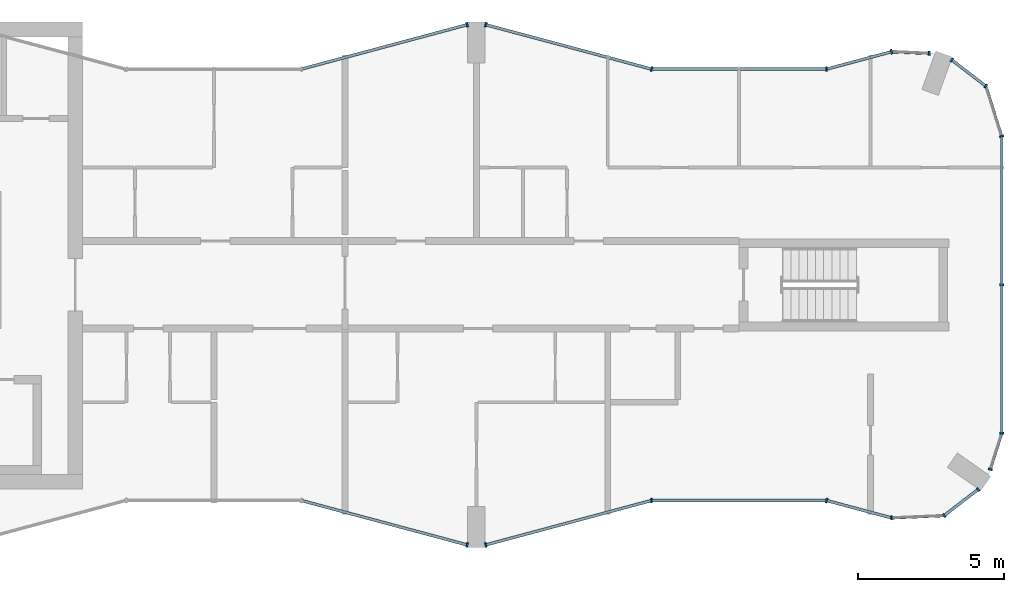
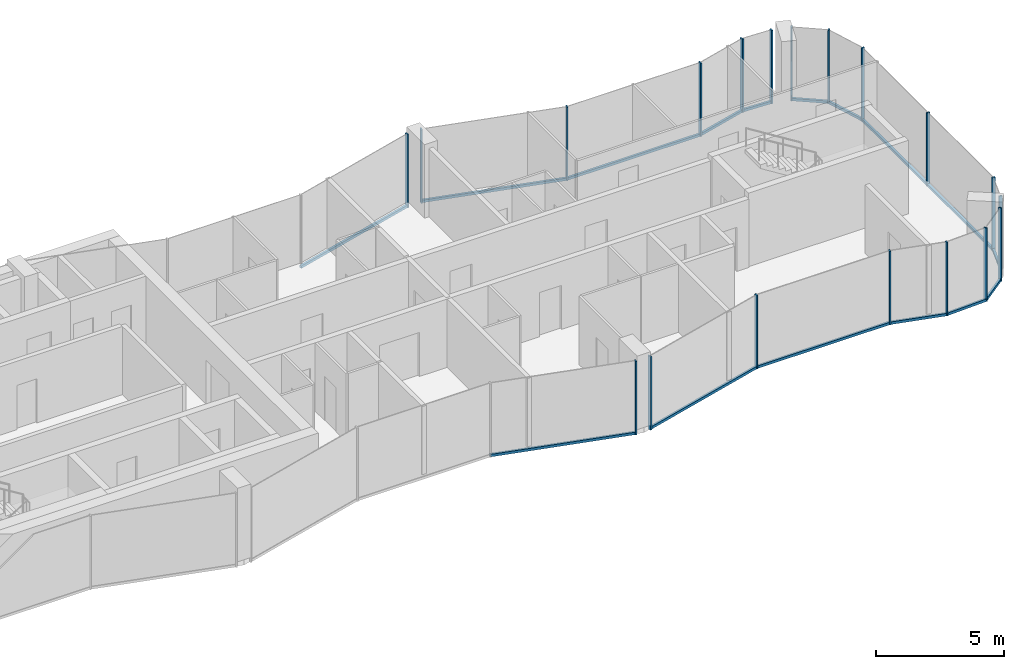
# One storey, part 5 of 10: 34 members, 15 elements without a shape of their own.
"""IFC4 building model written with IfcOpenShell, lengths in metres."""

from ifc_helpers import new_model, si_unit, direction, frame, origin, origin_2d, place, context, subcontext, project, spatial, rectangle, extrude, material, layer, layer_set, material_profile, profile_set, type_object, element, aggregate, save


model = new_model("IFC4")

# Units and contexts
model_context = context("Model", 3, precision=1e-05, world=origin(), true_north=direction((0.0, 1.0)))
body_context = subcontext(model_context, "Body", "Model", "MODEL_VIEW")
ifc_project = project(units=[si_unit("LENGTHUNIT", "METRE"), si_unit("AREAUNIT", "SQUARE_METRE"), si_unit("VOLUMEUNIT", "CUBIC_METRE"), si_unit("PLANEANGLEUNIT", "RADIAN"), si_unit("MASSUNIT", "GRAM", prefix="KILO")], contexts=[model_context])

# Site, building, storey
site_placement = place(None, origin())
site = spatial("IfcSite", under=ifc_project, at=site_placement, CompositionType="ELEMENT")
building_placement = place(site_placement, origin())
building = spatial("IfcBuilding", under=site, at=building_placement, Name="Plateau Cross Towers", CompositionType="ELEMENT")
storey_placement = place(building_placement, frame((0.0, 0.0, 245.89990234375)))
storey = spatial("IfcBuildingStorey", under=building, at=storey_placement, Name="L64", CompositionType="ELEMENT", Elevation=245.89990234375)

# Curtain wall, member
ifc_material_1 = material(Name="Dark low-iron glass", Category="glass")
ifc_layer_1 = layer(ifc_material_1, 0.239990234375)
ifc_layer_set_1 = layer_set([ifc_layer_1], Name="Dark low-iron glass")
curtain_wall_type_1 = type_object("IfcCurtainWallType", Name="Curtain wall flush unitised CW-B", PredefinedType="NOTDEFINED", material=ifc_layer_set_1)
curtain_wall_1_placement = place(storey_placement, origin())
curtain_wall_1 = element("IfcCurtainWall", 1, at=curtain_wall_1_placement, inside=storey, type_object=curtain_wall_type_1, Name="ENV/A/L64/A502_10", PredefinedType="NOTDEFINED")
ifc_material_2 = material(Name="Black anodised aluminium", Category="aluminium")
ifc_material_profile_1 = material_profile(ifc_material_2, rectangle(XDim=0.06005859375, YDim=0.139892578125, at=origin_2d()), Name="MULLION 60x140")
ifc_profile_set_1 = profile_set([ifc_material_profile_1], Name="Black anodised aluminium")
member_type_1 = type_object("IfcMemberType", Name="Mullion 60x140 flush unitised", PredefinedType="MULLION", material=ifc_profile_set_1)
member_1_placement = place(storey_placement, frame((50.223876953125, 1.01123046875, -0.25), z_axis=(0.0, 0.0, 1.0), x_axis=(0.999043701491, 0.043722791671, 0.0)))
member_1 = element("IfcMember", 2, at=member_1_placement, type_object=member_type_1, Name="CW-B mullion 1", PredefinedType="MULLION", context=body_context, shape_type="SweptSolid", body=[
    extrude(rectangle(XDim=0.06005859375, YDim=0.139892578125, at=origin_2d()), origin(), (0.0, 0.0, 1.0), 3.5),
])

# Curtain wall, members
curtain_wall_2_placement = place(storey_placement, origin())
curtain_wall_2 = element("IfcCurtainWall", 3, at=curtain_wall_2_placement, inside=storey, type_object=curtain_wall_type_1, Name="ENV/A/L64/A520_11", PredefinedType="NOTDEFINED")
member_2_placement = place(storey_placement, frame((52.0263671875, 1.090087890625, -0.25), z_axis=(0.0, 0.0, 1.0), x_axis=(0.793315514529, 0.608810721331, 0.0)))
member_2 = element("IfcMember", 4, at=member_2_placement, type_object=member_type_1, Name="CW-B mullion 1", PredefinedType="MULLION", context=body_context, shape_type="SweptSolid", body=[
    extrude(rectangle(XDim=0.06005859375, YDim=0.139892578125, at=origin_2d()), origin(), (0.0, 0.0, 1.0), 3.5),
])
member_3_placement = place(storey_placement, frame((53.193603515625, 1.986083984375, -0.25), z_axis=(0.0, 0.0, 1.0), x_axis=(0.793315514529, 0.608810721331, 0.0)))
member_3 = element("IfcMember", 5, at=member_3_placement, type_object=member_type_1, Name="CW-B mullion 2", PredefinedType="MULLION", context=body_context, shape_type="SweptSolid", body=[
    extrude(rectangle(XDim=0.06005859375, YDim=0.139892578125, at=origin_2d()), origin(), (0.0, 0.0, 1.0), 3.5),
])

# Curtain wall, member
curtain_wall_3_placement = place(storey_placement, origin())
curtain_wall_3 = element("IfcCurtainWall", 6, at=curtain_wall_3_placement, inside=storey, type_object=curtain_wall_type_1, Name="ENV/A/L64/A536_27", PredefinedType="NOTDEFINED")
member_4_placement = place(storey_placement, frame((53.611083984375, 2.67529296875, -0.25), z_axis=(0.0, 0.0, 1.0), x_axis=(0.300686174994, 0.95372313811, 0.0)))
member_4 = element("IfcMember", 7, at=member_4_placement, type_object=member_type_1, Name="CW-B mullion 1", PredefinedType="MULLION", context=body_context, shape_type="SweptSolid", body=[
    extrude(rectangle(XDim=0.06005859375, YDim=0.139892578125, at=origin_2d()), origin(), (0.0, 0.0, 1.0), 3.5),
])

# Curtain wall, members
curtain_wall_4_placement = place(storey_placement, origin())
curtain_wall_4 = element("IfcCurtainWall", 8, at=curtain_wall_4_placement, inside=storey, type_object=curtain_wall_type_1, Name="ENV/A/L64/A540_39", PredefinedType="NOTDEFINED")
member_5_placement = place(storey_placement, frame((54.0, 3.9091796875, -0.25), z_axis=(0.0, 0.0, 1.0), x_axis=(0.0, 1.0, 0.0)))
member_5 = element("IfcMember", 9, at=member_5_placement, type_object=member_type_1, Name="CW-B mullion 1", PredefinedType="MULLION", context=body_context, shape_type="SweptSolid", body=[
    extrude(rectangle(XDim=0.06005859375, YDim=0.139892578125, at=origin_2d()), origin(), (0.0, 0.0, 1.0), 3.5),
])
member_6_placement = place(storey_placement, frame((54.0, 9.0, -0.25), z_axis=(0.0, 0.0, 1.0), x_axis=(0.0, 1.0, 0.0)))
member_6 = element("IfcMember", 10, at=member_6_placement, type_object=member_type_1, Name="CW-B mullion 2", PredefinedType="MULLION", context=body_context, shape_type="SweptSolid", body=[
    extrude(rectangle(XDim=0.06005859375, YDim=0.139892578125, at=origin_2d()), origin(), (0.0, 0.0, 1.0), 3.5),
])

# Curtain wall, member
curtain_wall_5_placement = place(storey_placement, origin())
curtain_wall_5 = element("IfcCurtainWall", 11, at=curtain_wall_5_placement, inside=storey, type_object=curtain_wall_type_1, Name="ENV/A/L64/A540_141", PredefinedType="NOTDEFINED")
member_7_placement = place(storey_placement, frame((54.0, 14.0908203125, -0.25), z_axis=(0.0, 0.0, 1.0), x_axis=(-0.300686174994, 0.95372313811, 0.0)))
member_7 = element("IfcMember", 12, at=member_7_placement, type_object=member_type_1, Name="CW-B mullion 1", PredefinedType="MULLION", context=body_context, shape_type="SweptSolid", body=[
    extrude(rectangle(XDim=0.06005859375, YDim=0.139892578125, at=origin_2d()), origin(), (0.0, 0.0, 1.0), 3.5),
])

# Curtain wall, members
curtain_wall_6_placement = place(storey_placement, origin())
curtain_wall_6 = element("IfcCurtainWall", 13, at=curtain_wall_6_placement, inside=storey, type_object=curtain_wall_type_1, Name="ENV/A/L64/A535_158", PredefinedType="NOTDEFINED")
member_8_placement = place(storey_placement, frame((53.45751953125, 15.8115234375, -0.25), z_axis=(0.0, 0.0, 1.0), x_axis=(-0.793315514529, 0.608810721331, 0.0)))
member_8 = element("IfcMember", 14, at=member_8_placement, type_object=member_type_1, Name="CW-B mullion 1", PredefinedType="MULLION", context=body_context, shape_type="SweptSolid", body=[
    extrude(rectangle(XDim=0.06005859375, YDim=0.139892578125, at=origin_2d()), origin(), (0.0, 0.0, 1.0), 3.5),
])
member_9_placement = place(storey_placement, frame((52.290283203125, 16.707275390625, -0.25), z_axis=(0.0, 0.0, 1.0), x_axis=(-0.793315514529, 0.608810721331, 0.0)))
member_9 = element("IfcMember", 15, at=member_9_placement, type_object=member_type_1, Name="CW-B mullion 2", PredefinedType="MULLION", context=body_context, shape_type="SweptSolid", body=[
    extrude(rectangle(XDim=0.06005859375, YDim=0.139892578125, at=origin_2d()), origin(), (0.0, 0.0, 1.0), 3.5),
])

# Curtain wall, member
curtain_wall_7_placement = place(storey_placement, origin())
curtain_wall_7 = element("IfcCurtainWall", 16, at=curtain_wall_7_placement, inside=storey, type_object=curtain_wall_type_1, Name="ENV/A/L64/A515_169", PredefinedType="NOTDEFINED")
member_10_placement = place(storey_placement, frame((51.516357421875, 16.93212890625, -0.25), z_axis=(0.0, 0.0, 1.0), x_axis=(-0.999043701491, 0.043722791671, 0.0)))
member_10 = element("IfcMember", 17, at=member_10_placement, type_object=member_type_1, Name="CW-B mullion 1", PredefinedType="MULLION", context=body_context, shape_type="SweptSolid", body=[
    extrude(rectangle(XDim=0.06005859375, YDim=0.139892578125, at=origin_2d()), origin(), (0.0, 0.0, 1.0), 3.5),
])

ifc_layer_2 = layer(ifc_material_1, 0.260009765625)
ifc_layer_set_2 = layer_set([ifc_layer_2], Name="Dark low-iron glass")
curtain_wall_type_2 = type_object("IfcCurtainWallType", Name="Curtain wall fluted unitised CW-A", PredefinedType="NOTDEFINED", material=ifc_layer_set_2)
curtain_wall_8_placement = place(storey_placement, origin())
curtain_wall_8 = element("IfcCurtainWall", 18, at=curtain_wall_8_placement, inside=storey, type_object=curtain_wall_type_2, Name="ENV/A/L64/A300_16", PredefinedType="NOTDEFINED")
ifc_material_profile_2 = material_profile(ifc_material_2, rectangle(XDim=0.06005859375, YDim=0.159912109375, at=origin_2d()), Name="MULLION 60x160")
ifc_profile_set_2 = profile_set([ifc_material_profile_2], Name="Black anodised aluminium")
member_type_2 = type_object("IfcMemberType", Name="Mullion 60x160 fluted unitised", PredefinedType="MULLION", material=ifc_profile_set_2)
member_11_placement = place(storey_placement, frame((35.68212890625, 0.085205078125, -0.25), z_axis=(0.0, 0.0, 1.0), x_axis=(0.965957983404, -0.258699003279, 0.0)))
member_11 = element("IfcMember", 19, at=member_11_placement, type_object=member_type_2, Name="CW-A mullion 2", PredefinedType="MULLION", context=body_context, shape_type="SweptSolid", body=[
    extrude(rectangle(XDim=0.06005859375, YDim=0.159912109375, at=origin_2d()), origin(), (0.0, 0.0, 1.0), 3.5),
])

curtain_wall_9_placement = place(storey_placement, origin())
curtain_wall_9 = element("IfcCurtainWall", 20, at=curtain_wall_9_placement, inside=storey, type_object=curtain_wall_type_2, Name="ENV/A/L64/A363_1", PredefinedType="NOTDEFINED")
member_12_placement = place(storey_placement, frame((36.31787109375, 0.085205078125, -0.25), z_axis=(0.0, 0.0, 1.0), x_axis=(0.965957983404, 0.258699003279, 0.0)))
member_12 = element("IfcMember", 21, at=member_12_placement, type_object=member_type_2, Name="CW-A mullion 1", PredefinedType="MULLION", context=body_context, shape_type="SweptSolid", body=[
    extrude(rectangle(XDim=0.06005859375, YDim=0.159912109375, at=origin_2d()), origin(), (0.0, 0.0, 1.0), 3.5),
])

curtain_wall_10_placement = place(storey_placement, origin())
curtain_wall_10 = element("IfcCurtainWall", 22, at=curtain_wall_10_placement, inside=storey, type_object=curtain_wall_type_2, Name="ENV/A/L64/A420_16", PredefinedType="NOTDEFINED")
member_13_placement = place(storey_placement, frame((42.0, 1.60693359375, -0.25), z_axis=(0.0, 0.0, 1.0), x_axis=(1.0, 0.0, 0.0)))
member_13 = element("IfcMember", 23, at=member_13_placement, type_object=member_type_2, Name="CW-A mullion 1", PredefinedType="MULLION", context=body_context, shape_type="SweptSolid", body=[
    extrude(rectangle(XDim=0.06005859375, YDim=0.159912109375, at=origin_2d()), origin(), (0.0, 0.0, 1.0), 3.5),
])

curtain_wall_11_placement = place(storey_placement, origin())
curtain_wall_11 = element("IfcCurtainWall", 24, at=curtain_wall_11_placement, inside=storey, type_object=curtain_wall_type_2, Name="ENV/A/L64/A480_16", PredefinedType="NOTDEFINED")
member_14_placement = place(storey_placement, frame((48.0, 1.60693359375, -0.25), z_axis=(0.0, 0.0, 1.0), x_axis=(0.965957962328, -0.258699081978, 0.0)))
member_14 = element("IfcMember", 25, at=member_14_placement, type_object=member_type_2, Name="CW-A mullion 1", PredefinedType="MULLION", context=body_context, shape_type="SweptSolid", body=[
    extrude(rectangle(XDim=0.06005859375, YDim=0.159912109375, at=origin_2d()), origin(), (0.0, 0.0, 1.0), 3.5),
])

curtain_wall_12_placement = place(storey_placement, origin())
curtain_wall_12 = element("IfcCurtainWall", 26, at=curtain_wall_12_placement, inside=storey, type_object=curtain_wall_type_2, Name="ENV/A/L64/A502_170", PredefinedType="NOTDEFINED")
member_15_placement = place(storey_placement, frame((50.223876953125, 16.98876953125, -0.25), z_axis=(0.0, 0.0, 1.0), x_axis=(-0.965957962328, -0.258699081978, 0.0)))
member_15 = element("IfcMember", 27, at=member_15_placement, type_object=member_type_2, Name="CW-A mullion 1", PredefinedType="MULLION", context=body_context, shape_type="SweptSolid", body=[
    extrude(rectangle(XDim=0.06005859375, YDim=0.159912109375, at=origin_2d()), origin(), (0.0, 0.0, 1.0), 3.5),
])

curtain_wall_13_placement = place(storey_placement, origin())
curtain_wall_13 = element("IfcCurtainWall", 28, at=curtain_wall_13_placement, inside=storey, type_object=curtain_wall_type_2, Name="ENV/A/L64/A480_164", PredefinedType="NOTDEFINED")
member_16_placement = place(storey_placement, frame((48.0, 16.39306640625, -0.25), z_axis=(0.0, 0.0, 1.0), x_axis=(-1.0, 0.0, 0.0)))
member_16 = element("IfcMember", 29, at=member_16_placement, type_object=member_type_2, Name="CW-A mullion 1", PredefinedType="MULLION", context=body_context, shape_type="SweptSolid", body=[
    extrude(rectangle(XDim=0.06005859375, YDim=0.159912109375, at=origin_2d()), origin(), (0.0, 0.0, 1.0), 3.5),
])

# Curtain wall, members
curtain_wall_14_placement = place(storey_placement, origin())
curtain_wall_14 = element("IfcCurtainWall", 30, at=curtain_wall_14_placement, inside=storey, type_object=curtain_wall_type_2, Name="ENV/A/L64/A420_164", PredefinedType="NOTDEFINED")
member_17_placement = place(storey_placement, frame((42.0, 16.39306640625, -0.25), z_axis=(0.0, 0.0, 1.0), x_axis=(-0.965957983404, 0.258699003279, 0.0)))
member_17 = element("IfcMember", 31, at=member_17_placement, type_object=member_type_2, Name="CW-A mullion 1", PredefinedType="MULLION", context=body_context, shape_type="SweptSolid", body=[
    extrude(rectangle(XDim=0.06005859375, YDim=0.159912109375, at=origin_2d()), origin(), (0.0, 0.0, 1.0), 3.5),
])
member_18_placement = place(storey_placement, frame((36.31787109375, 17.914794921875, -0.25), z_axis=(0.0, 0.0, 1.0), x_axis=(-0.965957983404, 0.258699003279, 0.0)))
member_18 = element("IfcMember", 32, at=member_18_placement, type_object=member_type_2, Name="CW-A mullion 2", PredefinedType="MULLION", context=body_context, shape_type="SweptSolid", body=[
    extrude(rectangle(XDim=0.06005859375, YDim=0.159912109375, at=origin_2d()), origin(), (0.0, 0.0, 1.0), 3.5),
])

# Curtain wall, member
curtain_wall_15_placement = place(storey_placement, origin())
curtain_wall_15 = element("IfcCurtainWall", 33, at=curtain_wall_15_placement, inside=storey, type_object=curtain_wall_type_2, Name="ENV/A/L64/A357_179", PredefinedType="NOTDEFINED")
member_19_placement = place(storey_placement, frame((35.68212890625, 17.914794921875, -0.25), z_axis=(0.0, 0.0, 1.0), x_axis=(-0.965957983404, -0.258699003279, 0.0)))
member_19 = element("IfcMember", 34, at=member_19_placement, type_object=member_type_2, Name="CW-A mullion 1", PredefinedType="MULLION", context=body_context, shape_type="SweptSolid", body=[
    extrude(rectangle(XDim=0.06005859375, YDim=0.159912109375, at=origin_2d()), origin(), (0.0, 0.0, 1.0), 3.5),
])

# Member
ifc_material_profile_3 = material_profile(ifc_material_2, rectangle(XDim=0.10009765625, YDim=0.1201171875, at=origin_2d()), Name="TRANSOM 100x120")
ifc_profile_set_3 = profile_set([ifc_material_profile_3], Name="Black anodised aluminium")
member_type_3 = type_object("IfcMemberType", Name="Transom 100x120 flush unitised", PredefinedType="USERDEFINED", material=ifc_profile_set_3)
member_20_placement = place(storey_placement, frame((50.223876953125, 1.01123046875, -0.18994140625), z_axis=(0.999044377355, 0.043707345779, 0.0), x_axis=(-0.043707345779, 0.999044377355, 0.0)))
member_20 = element("IfcMember", 35, at=member_20_placement, type_object=member_type_3, Name="CW-B transom", ObjectType="TRANSOM", PredefinedType="USERDEFINED", context=body_context, shape_type="SweptSolid", body=[
    extrude(rectangle(XDim=0.10009765625, YDim=0.1201171875, at=origin_2d()), origin(), (0.0, 0.0, 1.0), 1.80419921875),
])

aggregate(curtain_wall_1, [member_1, member_20])

member_21_placement = place(storey_placement, frame((52.0263671875, 1.090087890625, -0.18994140625), z_axis=(0.793240368515, 0.608908628415, 0.0), x_axis=(-0.608908628415, 0.793240368515, 0.0)))
member_21 = element("IfcMember", 36, at=member_21_placement, type_object=member_type_3, Name="CW-B transom", ObjectType="TRANSOM", PredefinedType="USERDEFINED", context=body_context, shape_type="SweptSolid", body=[
    extrude(rectangle(XDim=0.10009765625, YDim=0.1201171875, at=origin_2d()), origin(), (0.0, 0.0, 1.0), 1.471435546875),
])

aggregate(curtain_wall_2, [member_2, member_3, member_21])

member_22_placement = place(storey_placement, frame((53.611083984375, 2.67529296875, -0.18994140625), z_axis=(0.300616528216, 0.953745093284, 0.0), x_axis=(-0.953745093284, 0.300616528216, 0.0)))
member_22 = element("IfcMember", 37, at=member_22_placement, type_object=member_type_3, Name="CW-B transom", ObjectType="TRANSOM", PredefinedType="USERDEFINED", context=body_context, shape_type="SweptSolid", body=[
    extrude(rectangle(XDim=0.10009765625, YDim=0.1201171875, at=origin_2d()), origin(), (0.0, 0.0, 1.0), 1.293701171875),
])

aggregate(curtain_wall_3, [member_4, member_22])

member_23_placement = place(storey_placement, frame((54.0, 3.9091796875, -0.18994140625), z_axis=(0.0, 1.0, 0.0), x_axis=(-1.0, 0.0, 0.0)))
member_23 = element("IfcMember", 38, at=member_23_placement, type_object=member_type_3, Name="CW-B transom", ObjectType="TRANSOM", PredefinedType="USERDEFINED", context=body_context, shape_type="SweptSolid", body=[
    extrude(rectangle(XDim=0.10009765625, YDim=0.1201171875, at=origin_2d()), origin(), (0.0, 0.0, 1.0), 10.181640625),
])

aggregate(curtain_wall_4, [member_5, member_6, member_23])

member_24_placement = place(storey_placement, frame((54.0, 14.0908203125, -0.18994140625), z_axis=(-0.30067799945, 0.953725715626, 0.0), x_axis=(-0.953725715626, -0.30067799945, 0.0)))
member_24 = element("IfcMember", 39, at=member_24_placement, type_object=member_type_3, Name="CW-B transom", ObjectType="TRANSOM", PredefinedType="USERDEFINED", context=body_context, shape_type="SweptSolid", body=[
    extrude(rectangle(XDim=0.10009765625, YDim=0.1201171875, at=origin_2d()), origin(), (0.0, 0.0, 1.0), 1.80419921875),
])

aggregate(curtain_wall_5, [member_7, member_24])

member_25_placement = place(storey_placement, frame((53.45751953125, 15.8115234375, -0.18994140625), z_axis=(-0.793320508571, 0.608804213751, 0.0), x_axis=(-0.608804213751, -0.793320508571, 0.0)))
member_25 = element("IfcMember", 40, at=member_25_placement, type_object=member_type_3, Name="CW-B transom", ObjectType="TRANSOM", PredefinedType="USERDEFINED", context=body_context, shape_type="SweptSolid", body=[
    extrude(rectangle(XDim=0.10009765625, YDim=0.1201171875, at=origin_2d()), origin(), (0.0, 0.0, 1.0), 1.471435546875),
])

aggregate(curtain_wall_6, [member_8, member_9, member_25])

member_26_placement = place(storey_placement, frame((51.516357421875, 16.93212890625, -0.18994140625), z_axis=(-0.999041144614, 0.043781175963, 0.0), x_axis=(-0.043781175963, -0.999041144614, 0.0)))
member_26 = element("IfcMember", 41, at=member_26_placement, type_object=member_type_3, Name="CW-B transom", ObjectType="TRANSOM", PredefinedType="USERDEFINED", context=body_context, shape_type="SweptSolid", body=[
    extrude(rectangle(XDim=0.10009765625, YDim=0.1201171875, at=origin_2d()), origin(), (0.0, 0.0, 1.0), 1.293701171875),
])

aggregate(curtain_wall_7, [member_10, member_26])

ifc_material_profile_4 = material_profile(ifc_material_2, rectangle(XDim=0.10009765625, YDim=0.1201171875, at=origin_2d()), Name="TRANSOM 100x120")
ifc_profile_set_4 = profile_set([ifc_material_profile_4], Name="Black anodised aluminium")
member_type_4 = type_object("IfcMemberType", Name="Transom 100x120 fluted unitised", PredefinedType="USERDEFINED", material=ifc_profile_set_4)
member_27_placement = place(storey_placement, frame((30.0, 1.60693359375, -0.18994140625), z_axis=(0.965959534794, -0.258693210465, 0.0), x_axis=(0.258693210465, 0.965959534794, 0.0)))
member_27 = element("IfcMember", 42, at=member_27_placement, type_object=member_type_4, Name="CW-A transom", ObjectType="TRANSOM", PredefinedType="USERDEFINED", context=body_context, shape_type="SweptSolid", body=[
    extrude(rectangle(XDim=0.10009765625, YDim=0.1201171875, at=origin_2d()), origin(), (0.0, 0.0, 1.0), 5.88232421875),
])

aggregate(curtain_wall_8, [member_11, member_27])

member_28_placement = place(storey_placement, frame((36.31787109375, 0.085205078125, -0.18994140625), z_axis=(0.965959534794, 0.258693210465, 0.0), x_axis=(-0.258693210465, 0.965959534794, 0.0)))
member_28 = element("IfcMember", 43, at=member_28_placement, type_object=member_type_4, Name="CW-A transom", ObjectType="TRANSOM", PredefinedType="USERDEFINED", context=body_context, shape_type="SweptSolid", body=[
    extrude(rectangle(XDim=0.10009765625, YDim=0.1201171875, at=origin_2d()), origin(), (0.0, 0.0, 1.0), 5.88232421875),
])

aggregate(curtain_wall_9, [member_12, member_28])

member_29_placement = place(storey_placement, frame((42.0, 1.60693359375, -0.18994140625), z_axis=(1.0, 0.0, 0.0), x_axis=(0.0, 1.0, 0.0)))
member_29 = element("IfcMember", 44, at=member_29_placement, type_object=member_type_4, Name="CW-A transom", ObjectType="TRANSOM", PredefinedType="USERDEFINED", context=body_context, shape_type="SweptSolid", body=[
    extrude(rectangle(XDim=0.10009765625, YDim=0.1201171875, at=origin_2d()), origin(), (0.0, 0.0, 1.0), 6.0),
])

aggregate(curtain_wall_10, [member_13, member_29])

member_30_placement = place(storey_placement, frame((48.0, 1.60693359375, -0.18994140625), z_axis=(0.965945685136, -0.258744919501, 0.0), x_axis=(0.258744919501, 0.965945685136, 0.0)))
member_30 = element("IfcMember", 45, at=member_30_placement, type_object=member_type_4, Name="CW-A transom", ObjectType="TRANSOM", PredefinedType="USERDEFINED", context=body_context, shape_type="SweptSolid", body=[
    extrude(rectangle(XDim=0.10009765625, YDim=0.1201171875, at=origin_2d()), origin(), (0.0, 0.0, 1.0), 2.30224609375),
])

aggregate(curtain_wall_11, [member_14, member_30])

member_31_placement = place(storey_placement, frame((50.223876953125, 16.98876953125, -0.18994140625), z_axis=(-0.965945685136, -0.258744919501, 0.0), x_axis=(0.258744919501, -0.965945685136, 0.0)))
member_31 = element("IfcMember", 46, at=member_31_placement, type_object=member_type_4, Name="CW-A transom", ObjectType="TRANSOM", PredefinedType="USERDEFINED", context=body_context, shape_type="SweptSolid", body=[
    extrude(rectangle(XDim=0.10009765625, YDim=0.1201171875, at=origin_2d()), origin(), (0.0, 0.0, 1.0), 2.30224609375),
])

aggregate(curtain_wall_12, [member_15, member_31])

member_32_placement = place(storey_placement, frame((48.0, 16.39306640625, -0.18994140625), z_axis=(-1.0, 0.0, 0.0), x_axis=(0.0, -1.0, 0.0)))
member_32 = element("IfcMember", 47, at=member_32_placement, type_object=member_type_4, Name="CW-A transom", ObjectType="TRANSOM", PredefinedType="USERDEFINED", context=body_context, shape_type="SweptSolid", body=[
    extrude(rectangle(XDim=0.10009765625, YDim=0.1201171875, at=origin_2d()), origin(), (0.0, 0.0, 1.0), 6.0),
])

aggregate(curtain_wall_13, [member_16, member_32])

member_33_placement = place(storey_placement, frame((42.0, 16.39306640625, -0.18994140625), z_axis=(-0.965959534794, 0.258693210465, 0.0), x_axis=(-0.258693210465, -0.965959534794, 0.0)))
member_33 = element("IfcMember", 48, at=member_33_placement, type_object=member_type_4, Name="CW-A transom", ObjectType="TRANSOM", PredefinedType="USERDEFINED", context=body_context, shape_type="SweptSolid", body=[
    extrude(rectangle(XDim=0.10009765625, YDim=0.1201171875, at=origin_2d()), origin(), (0.0, 0.0, 1.0), 5.88232421875),
])

aggregate(curtain_wall_14, [member_17, member_18, member_33])

member_34_placement = place(storey_placement, frame((35.68212890625, 17.914794921875, -0.18994140625), z_axis=(-0.965959534794, -0.258693210465, 0.0), x_axis=(0.258693210465, -0.965959534794, 0.0)))
member_34 = element("IfcMember", 49, at=member_34_placement, type_object=member_type_4, Name="CW-A transom", ObjectType="TRANSOM", PredefinedType="USERDEFINED", context=body_context, shape_type="SweptSolid", body=[
    extrude(rectangle(XDim=0.10009765625, YDim=0.1201171875, at=origin_2d()), origin(), (0.0, 0.0, 1.0), 5.88232421875),
])

aggregate(curtain_wall_15, [member_19, member_34])

save(model, "model.ifc")
